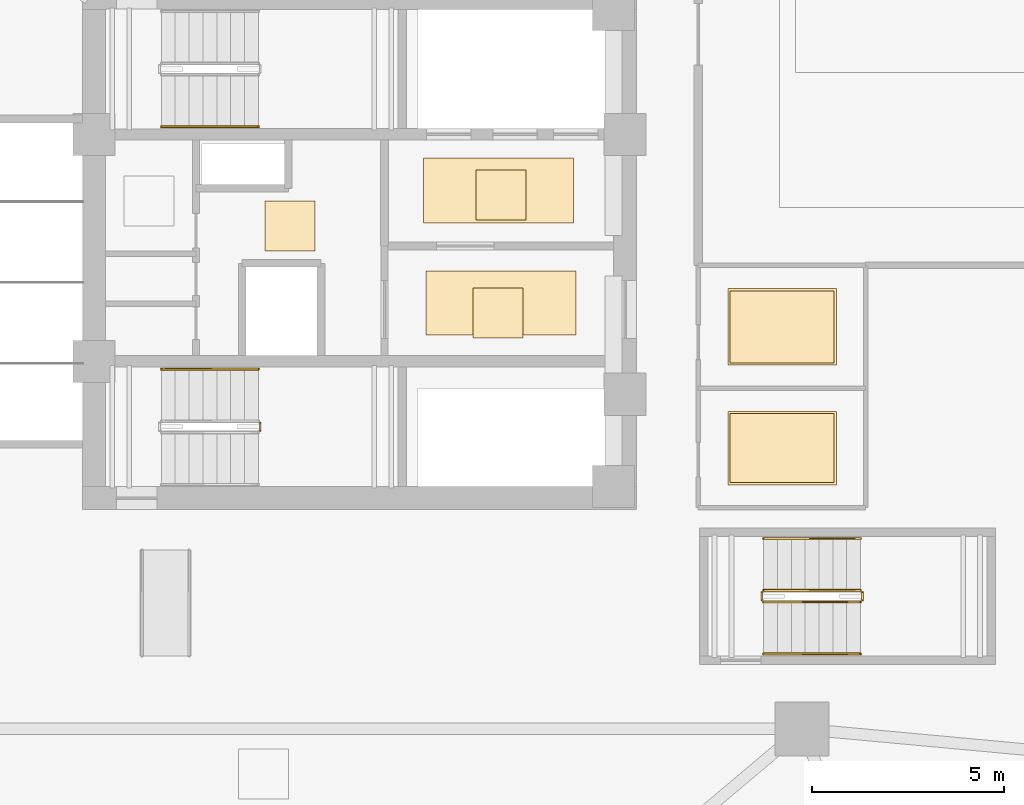
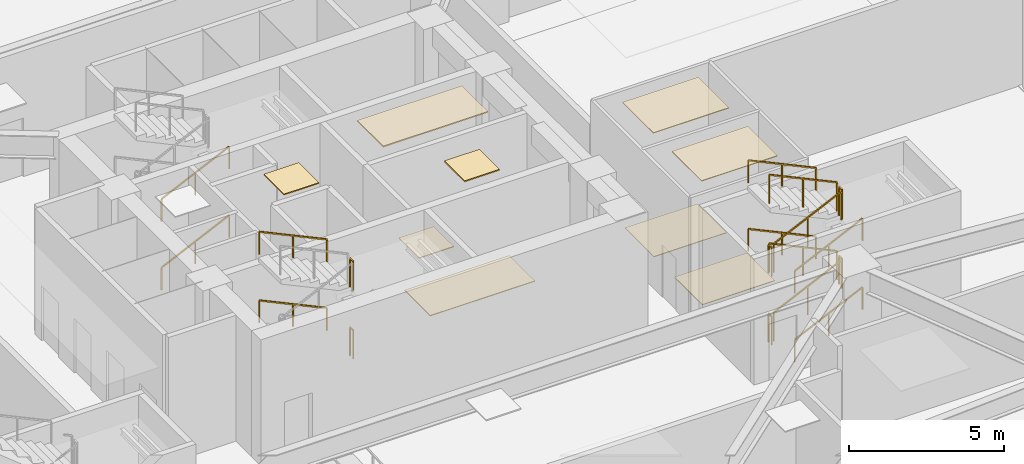
# One storey, part 10 of 13: 18 railings, 9 coverings.
"""IFC4 building model written with IfcOpenShell, lengths in metres."""

from ifc_helpers import new_model, si_unit, direction, frame, origin, origin_2d, place, context, subcontext, project, spatial, polyline, rectangle, outline, extrude, material, layer, layer_set, type_object, element, save


model = new_model("IFC4")

# Units and contexts
model_context = context("Model", 3, precision=1e-05, world=origin(), true_north=direction((0.0, 1.0)))
body_context = subcontext(model_context, "Body", "Model", "MODEL_VIEW")
ifc_project = project(units=[si_unit("LENGTHUNIT", "METRE"), si_unit("AREAUNIT", "SQUARE_METRE"), si_unit("VOLUMEUNIT", "CUBIC_METRE"), si_unit("PLANEANGLEUNIT", "RADIAN"), si_unit("MASSUNIT", "GRAM", prefix="KILO")], contexts=[model_context])

# Site, building, storey
site_placement = place(None, origin())
site = spatial("IfcSite", under=ifc_project, at=site_placement, CompositionType="ELEMENT")
building_placement = place(site_placement, origin())
building = spatial("IfcBuilding", under=site, at=building_placement, Name="Tavelor Broadcast Tower", CompositionType="ELEMENT")
storey_placement = place(building_placement, frame((0.0, 0.0, 16.800048828125)))
storey = spatial("IfcBuildingStorey", under=building, at=storey_placement, Name="L03", CompositionType="ELEMENT", Elevation=16.800048828125)

# Coverings
ifc_material_1 = material(Name="Copper-Bronze Anodized Aluminium", Category="aluminium")
ifc_layer_1 = layer(ifc_material_1, 0.044921875)
ifc_layer_set_1 = layer_set([ifc_layer_1], Name="Copper-Bronze Anodized Aluminium")
covering_type_1 = type_object("IfcCoveringType", Name="Anodised Bronze Linear Slatted Concourse Ceiling 45 mm", PredefinedType="CEILING", material=ifc_layer_set_1)
covering_1_placement = place(storey_placement, frame((0.0, 0.0, 4.905029296875)))
element("IfcCovering", 1, at=covering_1_placement, inside=storey, type_object=covering_type_1, Name="L03 Suspended Acoustic Ceiling 0078", PredefinedType="CEILING", context=body_context, shape_type="SweptSolid", body=[
    extrude(outline(polyline([(51.659912109375, 45.654296875), (55.55712890625, 45.654296875), (55.55712890625, 47.331787109375), (51.659912109375, 47.331787109375), (51.659912109375, 45.654296875)])), origin(), (0.0, 0.0, 1.0), 0.044921875),
])
covering_2_placement = place(storey_placement, frame((0.0, 0.0, 4.905029296875)))
element("IfcCovering", 2, at=covering_2_placement, inside=storey, type_object=covering_type_1, Name="L03 Suspended Acoustic Ceiling 0079", PredefinedType="CEILING", context=body_context, shape_type="SweptSolid", body=[
    extrude(outline(polyline([(52.95361328125, 42.656982421875), (54.25341796875, 42.656982421875), (54.25341796875, 43.95703125), (52.95361328125, 43.95703125), (52.95361328125, 42.656982421875)])), origin(), (0.0, 0.0, 1.0), 0.044921875),
])

# Railings
ifc_material_2 = material(Name="Steel S355", Category="steel")
railing_type_1 = type_object("IfcRailingType", Name="Continuous Brushed Stainless Handrail 900 mm", PredefinedType="HANDRAIL", material=ifc_material_2)
railing_1_placement = place(storey_placement, frame((44.85009765625, 48.14990234375, 0.168701171875)))
element("IfcRailing", 3, at=railing_1_placement, inside=storey, type_object=railing_type_1, Name="L03 ST1 stair handrail 1", PredefinedType="HANDRAIL", context=body_context, shape_type="SweptSolid", body=[
    extrude(rectangle(XDim=0.048095703125, YDim=0.048095703125, at=origin_2d()), frame((0.0, 0.0, 0.8759765625), z_axis=(0.905473684625, 0.0, 0.424402410988), x_axis=(0.0, 1.0, 0.0)), (0.0, 0.0, 1.0), 2.783203125),
    extrude(rectangle(XDim=0.0419921875, YDim=0.0419921875, at=origin_2d()), origin(), (0.0, 0.0, 1.0), 0.851806640625),
    extrude(rectangle(XDim=0.0419921875, YDim=0.0419921875, at=origin_2d()), frame((1.260009765625, 0.0, 0.590576171875)), (0.0, 0.0, 1.0), 0.851806640625),
    extrude(rectangle(XDim=0.0419921875, YDim=0.0419921875, at=origin_2d()), frame((2.52001953125, 0.0, 1.18115234375)), (0.0, 0.0, 1.0), 0.851806640625),
])
railing_2_placement = place(storey_placement, frame((44.85009765625, 48.14990234375, 2.86865234375)))
element("IfcRailing", 4, at=railing_2_placement, inside=storey, type_object=railing_type_1, Name="L03 ST1 stair handrail 3", PredefinedType="HANDRAIL", context=body_context, shape_type="SweptSolid", body=[
    extrude(rectangle(XDim=0.048095703125, YDim=0.048095703125, at=origin_2d()), frame((0.0, 0.0, 0.8759765625), z_axis=(0.905439972488, 0.0, 0.424474329284), x_axis=(0.0, 1.0, 0.0)), (0.0, 0.0, 1.0), 2.783203125),
    extrude(rectangle(XDim=0.0419921875, YDim=0.0419921875, at=origin_2d()), origin(), (0.0, 0.0, 1.0), 0.851806640625),
    extrude(rectangle(XDim=0.0419921875, YDim=0.0419921875, at=origin_2d()), frame((1.260009765625, 0.0, 0.5908203125)), (0.0, 0.0, 1.0), 0.851806640625),
    extrude(rectangle(XDim=0.0419921875, YDim=0.0419921875, at=origin_2d()), frame((2.52001953125, 0.0, 1.181396484375)), (0.0, 0.0, 1.0), 0.851806640625),
])
for number, where, name in (
    (5, (47.3701171875, 41.85009765625, 1.518798828125), "L03 ST2 stair handrail 2"),
    (6, (47.3701171875, 41.85009765625, 4.21875), "L03 ST2 stair handrail 4"),
):
    element("IfcRailing", number, at=place(storey_placement, frame(where)), inside=storey, type_object=railing_type_1, Name=name, PredefinedType="HANDRAIL", context=body_context, shape_type="SweptSolid", body=[
        extrude(rectangle(XDim=0.048095703125, YDim=0.048095703125, at=origin_2d()), frame((0.0, 0.0, 0.8759765625), z_axis=(-0.905473684625, 0.0, 0.424402410988), x_axis=(0.0, -1.0, 0.0)), (0.0, 0.0, 1.0), 2.783203125),
        extrude(rectangle(XDim=0.0419921875, YDim=0.0419921875, at=origin_2d()), origin(), (0.0, 0.0, 1.0), 0.851806640625),
        extrude(rectangle(XDim=0.0419921875, YDim=0.0419921875, at=origin_2d()), frame((-1.260009765625, 0.0, 0.590576171875)), (0.0, 0.0, 1.0), 0.851806640625),
        extrude(rectangle(XDim=0.0419921875, YDim=0.0419921875, at=origin_2d()), frame((-2.52001953125, 0.0, 1.18115234375)), (0.0, 0.0, 1.0), 0.851806640625),
    ])
railing_3_placement = place(storey_placement, frame((60.5, 34.449951171875, 0.168701171875)))
element("IfcRailing", 7, at=railing_3_placement, inside=storey, type_object=railing_type_1, Name="L03 ST4 stair handrail 1", PredefinedType="HANDRAIL", context=body_context, shape_type="SweptSolid", body=[
    extrude(rectangle(XDim=0.048095703125, YDim=0.048095703125, at=origin_2d()), frame((0.0, 0.0, 0.8759765625), z_axis=(0.905473684625, 0.0, 0.424402410988), x_axis=(0.0, 1.0, 0.0)), (0.0, 0.0, 1.0), 2.783203125),
    extrude(rectangle(XDim=0.0419921875, YDim=0.0419921875, at=origin_2d()), origin(), (0.0, 0.0, 1.0), 0.851806640625),
    extrude(rectangle(XDim=0.0419921875, YDim=0.0419921875, at=origin_2d()), frame((1.260009765625, 0.0, 0.590576171875)), (0.0, 0.0, 1.0), 0.851806640625),
    extrude(rectangle(XDim=0.0419921875, YDim=0.0419921875, at=origin_2d()), frame((2.52001953125, 0.0, 1.18115234375)), (0.0, 0.0, 1.0), 0.851806640625),
])
railing_4_placement = place(storey_placement, frame((63.02001953125, 37.449951171875, 1.518798828125)))
element("IfcRailing", 8, at=railing_4_placement, inside=storey, type_object=railing_type_1, Name="L03 ST4 stair handrail 2", PredefinedType="HANDRAIL", context=body_context, shape_type="SweptSolid", body=[
    extrude(rectangle(XDim=0.048095703125, YDim=0.048095703125, at=origin_2d()), frame((0.0, 0.0, 0.8759765625), z_axis=(-0.905473684625, 0.0, 0.424402410988), x_axis=(0.0, -1.0, 0.0)), (0.0, 0.0, 1.0), 2.783203125),
    extrude(rectangle(XDim=0.0419921875, YDim=0.0419921875, at=origin_2d()), origin(), (0.0, 0.0, 1.0), 0.851806640625),
    extrude(rectangle(XDim=0.0419921875, YDim=0.0419921875, at=origin_2d()), frame((-1.260009765625, 0.0, 0.590576171875)), (0.0, 0.0, 1.0), 0.851806640625),
    extrude(rectangle(XDim=0.0419921875, YDim=0.0419921875, at=origin_2d()), frame((-2.52001953125, 0.0, 1.18115234375)), (0.0, 0.0, 1.0), 0.851806640625),
])
railing_5_placement = place(storey_placement, frame((60.5, 34.449951171875, 2.86865234375)))
element("IfcRailing", 9, at=railing_5_placement, inside=storey, type_object=railing_type_1, Name="L03 ST4 stair handrail 3", PredefinedType="HANDRAIL", context=body_context, shape_type="SweptSolid", body=[
    extrude(rectangle(XDim=0.048095703125, YDim=0.048095703125, at=origin_2d()), frame((0.0, 0.0, 0.8759765625), z_axis=(0.905439972488, 0.0, 0.424474329284), x_axis=(0.0, 1.0, 0.0)), (0.0, 0.0, 1.0), 2.783203125),
    extrude(rectangle(XDim=0.0419921875, YDim=0.0419921875, at=origin_2d()), origin(), (0.0, 0.0, 1.0), 0.851806640625),
    extrude(rectangle(XDim=0.0419921875, YDim=0.0419921875, at=origin_2d()), frame((1.260009765625, 0.0, 0.5908203125)), (0.0, 0.0, 1.0), 0.851806640625),
    extrude(rectangle(XDim=0.0419921875, YDim=0.0419921875, at=origin_2d()), frame((2.52001953125, 0.0, 1.181396484375)), (0.0, 0.0, 1.0), 0.851806640625),
])
railing_6_placement = place(storey_placement, frame((63.02001953125, 37.449951171875, 4.21875)))
element("IfcRailing", 10, at=railing_6_placement, inside=storey, type_object=railing_type_1, Name="L03 ST4 stair handrail 4", PredefinedType="HANDRAIL", context=body_context, shape_type="SweptSolid", body=[
    extrude(rectangle(XDim=0.048095703125, YDim=0.048095703125, at=origin_2d()), frame((0.0, 0.0, 0.8759765625), z_axis=(-0.905473684625, 0.0, 0.424402410988), x_axis=(0.0, -1.0, 0.0)), (0.0, 0.0, 1.0), 2.783203125),
    extrude(rectangle(XDim=0.0419921875, YDim=0.0419921875, at=origin_2d()), origin(), (0.0, 0.0, 1.0), 0.851806640625),
    extrude(rectangle(XDim=0.0419921875, YDim=0.0419921875, at=origin_2d()), frame((-1.260009765625, 0.0, 0.590576171875)), (0.0, 0.0, 1.0), 0.851806640625),
    extrude(rectangle(XDim=0.0419921875, YDim=0.0419921875, at=origin_2d()), frame((-2.52001953125, 0.0, 1.18115234375)), (0.0, 0.0, 1.0), 0.851806640625),
])

# Coverings
ifc_material_3 = material(Name="Honed Natural Limestone Tile", Category="masonry")
ifc_layer_2 = layer(ifc_material_3, 0.030029296875)
ifc_layer_set_2 = layer_set([ifc_layer_2], Name="Honed Natural Limestone Tile")
covering_type_2 = type_object("IfcCoveringType", Name="Honed Jerusalem Limestone Concourse Flooring 30 mm", PredefinedType="FLOORING", material=ifc_layer_set_2)
covering_3_placement = place(storey_placement, origin())
element("IfcCovering", 11, at=covering_3_placement, inside=storey, type_object=covering_type_2, Name="L03 Broadcast Floor Finish 0033", PredefinedType="FLOORING", context=body_context, shape_type="SweptSolid", body=[
    extrude(outline(polyline([(53.030029296875, 45.728515625), (54.330078125, 45.728515625), (54.330078125, 47.028564453125), (53.030029296875, 47.028564453125), (53.030029296875, 45.728515625)])), origin(), (0.0, 0.0, 1.0), 0.030029296875),
])
covering_4_placement = place(storey_placement, origin())
element("IfcCovering", 12, at=covering_4_placement, inside=storey, type_object=covering_type_2, Name="L03 Broadcast Floor Finish 0034", PredefinedType="FLOORING", context=body_context, shape_type="SweptSolid", body=[
    extrude(outline(polyline([(51.728759765625, 42.743408203125), (55.62109375, 42.743408203125), (55.62109375, 44.396484375), (51.728759765625, 44.396484375), (51.728759765625, 42.743408203125)])), origin(), (0.0, 0.0, 1.0), 0.030029296875),
])
ifc_material_4 = material(Name="Architectural Anodized Aluminium", Category="aluminium")
ifc_layer_3 = layer(ifc_material_4, 0.030029296875)
ifc_layer_set_3 = layer_set([ifc_layer_3], Name="Architectural Anodized Aluminium")
covering_type_3 = type_object("IfcCoveringType", Name="Moisture-Resistant Washroom Ceiling 30 mm", PredefinedType="CEILING", material=ifc_layer_set_3)
covering_5_placement = place(storey_placement, frame((0.0, 0.0, 4.919921875)))
element("IfcCovering", 13, at=covering_5_placement, inside=storey, type_object=covering_type_3, Name="L03 Suspended Acoustic Ceiling 0098", PredefinedType="CEILING", context=body_context, shape_type="SweptSolid", body=[
    extrude(outline(polyline([(59.5703125, 38.84375), (62.389892578125, 38.84375), (62.389892578125, 40.756103515625), (59.5703125, 40.756103515625), (59.5703125, 38.84375)])), origin(), (0.0, 0.0, 1.0), 0.030029296875),
])
covering_6_placement = place(storey_placement, frame((0.0, 0.0, 4.919921875)))
element("IfcCovering", 14, at=covering_6_placement, inside=storey, type_object=covering_type_3, Name="L03 Suspended Acoustic Ceiling 0099", PredefinedType="CEILING", context=body_context, shape_type="SweptSolid", body=[
    extrude(outline(polyline([(59.5703125, 41.957763671875), (62.389892578125, 41.957763671875), (62.389892578125, 43.942138671875), (59.5703125, 43.942138671875), (59.5703125, 41.957763671875)])), origin(), (0.0, 0.0, 1.0), 0.030029296875),
])
ifc_material_5 = material(Name="Slip-Resistant Porcelain Tile")
ifc_layer_4 = layer(ifc_material_5, 0.02490234375)
ifc_layer_set_4 = layer_set([ifc_layer_4], Name="Slip-Resistant Porcelain Tile")
covering_type_4 = type_object("IfcCoveringType", Name="Slip-Resistant Porcelain Wet-Area Floor Tile 25 mm", PredefinedType="FLOORING", material=ifc_layer_set_4)
covering_7_placement = place(storey_placement, origin())
element("IfcCovering", 15, at=covering_7_placement, inside=storey, type_object=covering_type_4, Name="L03 Broadcast Floor Finish 0041", PredefinedType="FLOORING", context=body_context, shape_type="SweptSolid", body=[
    extrude(outline(polyline([(59.627685546875, 38.9013671875), (62.332275390625, 38.9013671875), (62.332275390625, 40.698486328125), (59.627685546875, 40.698486328125), (59.627685546875, 38.9013671875)])), origin(), (0.0, 0.0, 1.0), 0.02490234375),
])
covering_8_placement = place(storey_placement, origin())
element("IfcCovering", 16, at=covering_8_placement, inside=storey, type_object=covering_type_4, Name="L03 Broadcast Floor Finish 0042", PredefinedType="FLOORING", context=body_context, shape_type="SweptSolid", body=[
    extrude(outline(polyline([(59.627685546875, 42.015380859375), (62.332275390625, 42.015380859375), (62.332275390625, 43.884521484375), (59.627685546875, 43.884521484375), (59.627685546875, 42.015380859375)])), origin(), (0.0, 0.0, 1.0), 0.02490234375),
])

# Railings
railing_type_2 = type_object("IfcRailingType", Name="Stairwell Steel Safety Guardrail 1150 mm", PredefinedType="GUARDRAIL", material=ifc_material_2)
for number, where, name in (
    (17, (47.419921875, 40.25, 1.349853515625), "L03 ST2 stair guard 2"),
    (18, (47.419921875, 40.25, 4.050048828125), "L03 ST2 stair guard 6"),
):
    element("IfcRailing", number, at=place(storey_placement, frame(where)), inside=storey, type_object=railing_type_2, Name=name, PredefinedType="GUARDRAIL", context=body_context, shape_type="SweptSolid", body=[
        extrude(rectangle(XDim=0.048095703125, YDim=0.048095703125, at=origin_2d()), frame((0.0, 0.0, 1.1259765625), z_axis=(0.0, 1.0, 0.0), x_axis=(-1.0, 0.0, 0.0)), (0.0, 0.0, 1.0), 0.199951171875),
        extrude(rectangle(XDim=0.0419921875, YDim=0.0419921875, at=origin_2d()), origin(), (0.0, 0.0, 1.0), 1.101806640625),
        extrude(rectangle(XDim=0.0419921875, YDim=0.0419921875, at=origin_2d()), frame((0.0, 0.199951171875, 0.0)), (0.0, 0.0, 1.0), 1.101806640625),
    ])
railing_7_placement = place(storey_placement, frame((60.5, 35.800048828125, 0.168701171875)))
element("IfcRailing", 19, at=railing_7_placement, inside=storey, type_object=railing_type_2, Name="L03 ST4 stair guard 1", PredefinedType="GUARDRAIL", context=body_context, shape_type="SweptSolid", body=[
    extrude(rectangle(XDim=0.048095703125, YDim=0.048095703125, at=origin_2d()), frame((0.0, 0.0, 1.1259765625), z_axis=(0.905473684625, 0.0, 0.424402410988), x_axis=(0.0, 1.0, 0.0)), (0.0, 0.0, 1.0), 2.783203125),
    extrude(rectangle(XDim=0.0419921875, YDim=0.0419921875, at=origin_2d()), origin(), (0.0, 0.0, 1.0), 1.101806640625),
    extrude(rectangle(XDim=0.0419921875, YDim=0.0419921875, at=origin_2d()), frame((1.260009765625, 0.0, 0.590576171875)), (0.0, 0.0, 1.0), 1.101806640625),
    extrude(rectangle(XDim=0.0419921875, YDim=0.0419921875, at=origin_2d()), frame((2.52001953125, 0.0, 1.18115234375)), (0.0, 0.0, 1.0), 1.101806640625),
])
railing_8_placement = place(storey_placement, frame((63.070068359375, 35.85009765625, 1.349853515625)))
element("IfcRailing", 20, at=railing_8_placement, inside=storey, type_object=railing_type_2, Name="L03 ST4 stair guard 2", PredefinedType="GUARDRAIL", context=body_context, shape_type="SweptSolid", body=[
    extrude(rectangle(XDim=0.048095703125, YDim=0.048095703125, at=origin_2d()), frame((0.0, 0.0, 1.1259765625), z_axis=(0.0, 1.0, 0.0), x_axis=(-1.0, 0.0, 0.0)), (0.0, 0.0, 1.0), 0.199951171875),
    extrude(rectangle(XDim=0.0419921875, YDim=0.0419921875, at=origin_2d()), origin(), (0.0, 0.0, 1.0), 1.101806640625),
    extrude(rectangle(XDim=0.0419921875, YDim=0.0419921875, at=origin_2d()), frame((0.0, 0.199951171875, 0.0)), (0.0, 0.0, 1.0), 1.101806640625),
])
railing_9_placement = place(storey_placement, frame((63.02001953125, 36.10009765625, 1.518798828125)))
element("IfcRailing", 21, at=railing_9_placement, inside=storey, type_object=railing_type_2, Name="L03 ST4 stair guard 3", PredefinedType="GUARDRAIL", context=body_context, shape_type="SweptSolid", body=[
    extrude(rectangle(XDim=0.048095703125, YDim=0.048095703125, at=origin_2d()), frame((0.0, 0.0, 1.1259765625), z_axis=(-0.905473684625, 0.0, 0.424402410988), x_axis=(0.0, -1.0, 0.0)), (0.0, 0.0, 1.0), 2.783203125),
    extrude(rectangle(XDim=0.0419921875, YDim=0.0419921875, at=origin_2d()), origin(), (0.0, 0.0, 1.0), 1.101806640625),
    extrude(rectangle(XDim=0.0419921875, YDim=0.0419921875, at=origin_2d()), frame((-1.260009765625, 0.0, 0.590576171875)), (0.0, 0.0, 1.0), 1.101806640625),
    extrude(rectangle(XDim=0.0419921875, YDim=0.0419921875, at=origin_2d()), frame((-2.52001953125, 0.0, 1.18115234375)), (0.0, 0.0, 1.0), 1.101806640625),
])
railing_10_placement = place(storey_placement, frame((60.449951171875, 35.85009765625, 2.699951171875)))
element("IfcRailing", 22, at=railing_10_placement, inside=storey, type_object=railing_type_2, Name="L03 ST4 stair guard 4", PredefinedType="GUARDRAIL", context=body_context, shape_type="SweptSolid", body=[
    extrude(rectangle(XDim=0.048095703125, YDim=0.048095703125, at=origin_2d()), frame((0.0, 0.0, 1.1259765625), z_axis=(0.0, 1.0, 0.0), x_axis=(-1.0, 0.0, 0.0)), (0.0, 0.0, 1.0), 0.199951171875),
    extrude(rectangle(XDim=0.0419921875, YDim=0.0419921875, at=origin_2d()), origin(), (0.0, 0.0, 1.0), 1.101806640625),
    extrude(rectangle(XDim=0.0419921875, YDim=0.0419921875, at=origin_2d()), frame((0.0, 0.199951171875, 0.0)), (0.0, 0.0, 1.0), 1.101806640625),
])
railing_11_placement = place(storey_placement, frame((60.5, 35.800048828125, 2.86865234375)))
element("IfcRailing", 23, at=railing_11_placement, inside=storey, type_object=railing_type_2, Name="L03 ST4 stair guard 5", PredefinedType="GUARDRAIL", context=body_context, shape_type="SweptSolid", body=[
    extrude(rectangle(XDim=0.048095703125, YDim=0.048095703125, at=origin_2d()), frame((0.0, 0.0, 1.1259765625), z_axis=(0.905439972488, 0.0, 0.424474329284), x_axis=(0.0, 1.0, 0.0)), (0.0, 0.0, 1.0), 2.783203125),
    extrude(rectangle(XDim=0.0419921875, YDim=0.0419921875, at=origin_2d()), origin(), (0.0, 0.0, 1.0), 1.101806640625),
    extrude(rectangle(XDim=0.0419921875, YDim=0.0419921875, at=origin_2d()), frame((1.260009765625, 0.0, 0.5908203125)), (0.0, 0.0, 1.0), 1.101806640625),
    extrude(rectangle(XDim=0.0419921875, YDim=0.0419921875, at=origin_2d()), frame((2.52001953125, 0.0, 1.181396484375)), (0.0, 0.0, 1.0), 1.101806640625),
])
railing_12_placement = place(storey_placement, frame((63.070068359375, 35.85009765625, 4.050048828125)))
element("IfcRailing", 24, at=railing_12_placement, inside=storey, type_object=railing_type_2, Name="L03 ST4 stair guard 6", PredefinedType="GUARDRAIL", context=body_context, shape_type="SweptSolid", body=[
    extrude(rectangle(XDim=0.048095703125, YDim=0.048095703125, at=origin_2d()), frame((0.0, 0.0, 1.1259765625), z_axis=(0.0, 1.0, 0.0), x_axis=(-1.0, 0.0, 0.0)), (0.0, 0.0, 1.0), 0.199951171875),
    extrude(rectangle(XDim=0.0419921875, YDim=0.0419921875, at=origin_2d()), origin(), (0.0, 0.0, 1.0), 1.101806640625),
    extrude(rectangle(XDim=0.0419921875, YDim=0.0419921875, at=origin_2d()), frame((0.0, 0.199951171875, 0.0)), (0.0, 0.0, 1.0), 1.101806640625),
])
railing_13_placement = place(storey_placement, frame((63.02001953125, 36.10009765625, 4.21875)))
element("IfcRailing", 25, at=railing_13_placement, inside=storey, type_object=railing_type_2, Name="L03 ST4 stair guard 7", PredefinedType="GUARDRAIL", context=body_context, shape_type="SweptSolid", body=[
    extrude(rectangle(XDim=0.048095703125, YDim=0.048095703125, at=origin_2d()), frame((0.0, 0.0, 1.1259765625), z_axis=(-0.905473684625, 0.0, 0.424402410988), x_axis=(0.0, -1.0, 0.0)), (0.0, 0.0, 1.0), 2.783203125),
    extrude(rectangle(XDim=0.0419921875, YDim=0.0419921875, at=origin_2d()), origin(), (0.0, 0.0, 1.0), 1.101806640625),
    extrude(rectangle(XDim=0.0419921875, YDim=0.0419921875, at=origin_2d()), frame((-1.260009765625, 0.0, 0.590576171875)), (0.0, 0.0, 1.0), 1.101806640625),
    extrude(rectangle(XDim=0.0419921875, YDim=0.0419921875, at=origin_2d()), frame((-2.52001953125, 0.0, 1.18115234375)), (0.0, 0.0, 1.0), 1.101806640625),
])
railing_14_placement = place(storey_placement, frame((60.449951171875, 35.85009765625, 0.0)))
element("IfcRailing", 26, at=railing_14_placement, inside=storey, type_object=railing_type_2, Name="L03 ST4 stair guard 8", PredefinedType="GUARDRAIL", context=body_context, shape_type="SweptSolid", body=[
    extrude(rectangle(XDim=0.048095703125, YDim=0.048095703125, at=origin_2d()), frame((0.0, 0.0, 1.1259765625), z_axis=(0.0, 1.0, 0.0), x_axis=(-1.0, 0.0, 0.0)), (0.0, 0.0, 1.0), 0.199951171875),
    extrude(rectangle(XDim=0.0419921875, YDim=0.0419921875, at=origin_2d()), origin(), (0.0, 0.0, 1.0), 1.101806640625),
    extrude(rectangle(XDim=0.0419921875, YDim=0.0419921875, at=origin_2d()), frame((0.0, 0.199951171875, 0.0)), (0.0, 0.0, 1.0), 1.101806640625),
])

# Covering
ifc_material_6 = material(Name="Acoustic Mineral Fibre Tile")
ifc_layer_5 = layer(ifc_material_6, 0.0400390625)
ifc_layer_set_5 = layer_set([ifc_layer_5], Name="Acoustic Mineral Fibre Tile")
covering_type_5 = type_object("IfcCoveringType", Name="Suspended Acoustic Mineral-Fibre Office Ceiling 40 mm", PredefinedType="CEILING", material=ifc_layer_set_5)
covering_9_placement = place(storey_placement, frame((0.0, 0.0, 4.909912109375)))
element("IfcCovering", 27, at=covering_9_placement, inside=storey, type_object=covering_type_5, Name="L03 Suspended Acoustic Ceiling 0080", PredefinedType="CEILING", context=body_context, shape_type="SweptSolid", body=[
    extrude(outline(polyline([(47.544921875, 44.919921875), (48.844970703125, 44.919921875), (48.844970703125, 46.219970703125), (47.544921875, 46.219970703125), (47.544921875, 44.919921875)])), origin(), (0.0, 0.0, 1.0), 0.0400390625),
])

save(model, "model.ifc")
